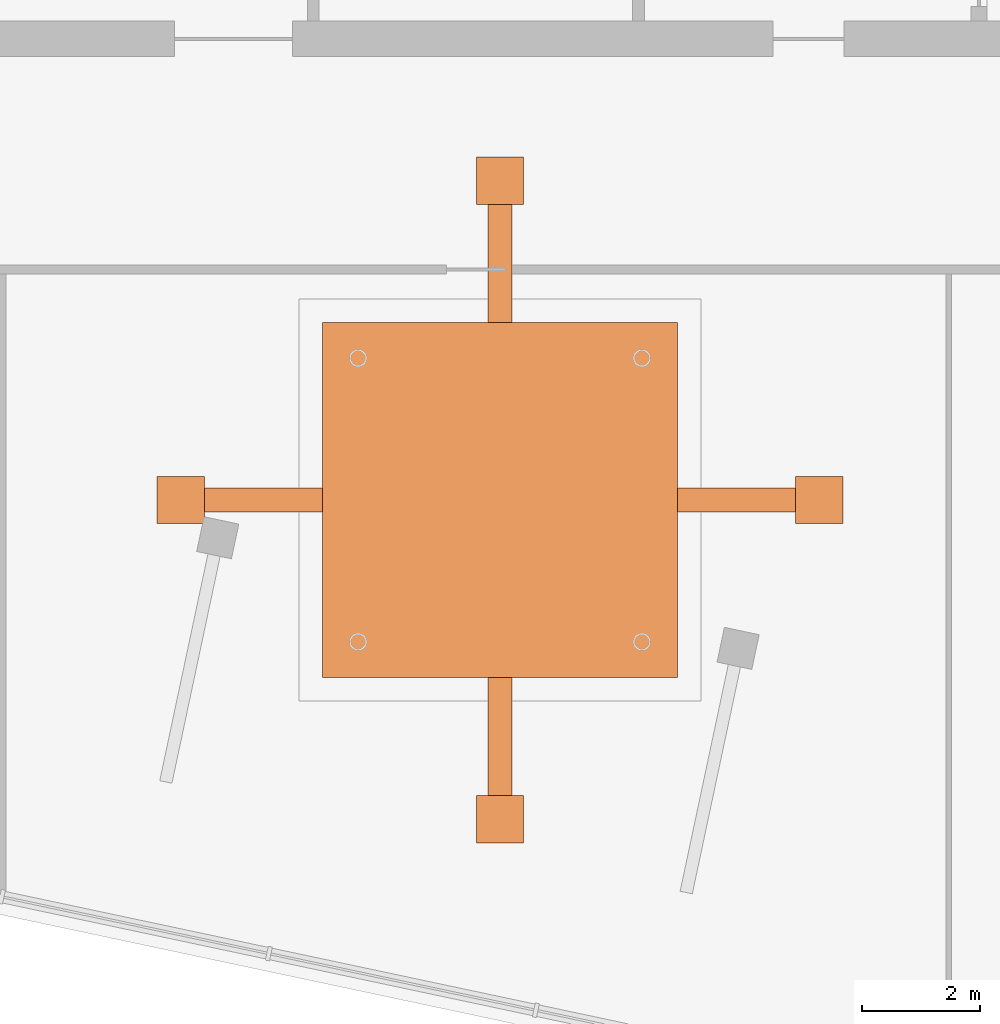
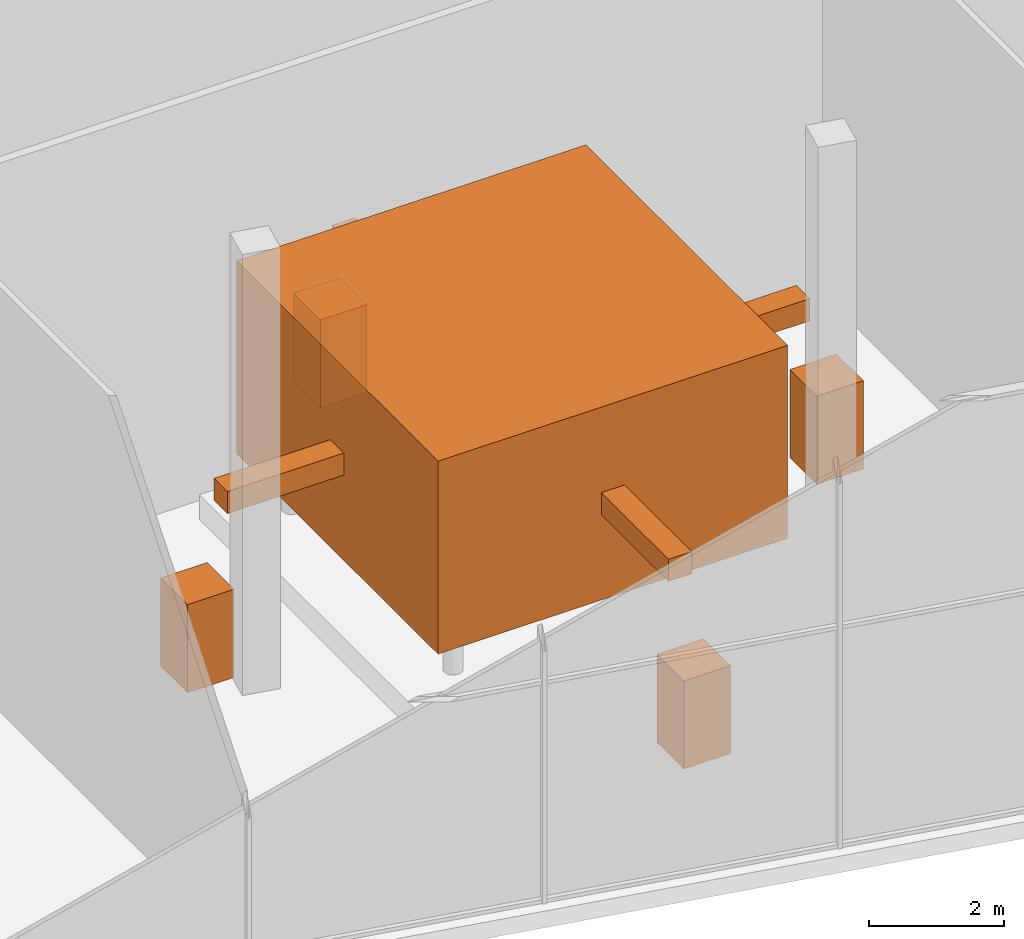
# One storey, part 14 of 14: 9 proxies.
"""IFC4 building model written with IfcOpenShell, lengths in metres."""

import ifcopenshell
import ifcopenshell.guid

model = None  # the IFC model being written
_history = None  # IfcOwnerHistory: only IFC2X3 demands one
_inside = {}  # id of a spatial element -> (the spatial element, [elements in it])
_under = {}  # id of a project, library or spatial element -> (it, [spatial elements below it])
_declared = {}  # id of a project -> (the project, [libraries it declares])
_typed = {}  # id of a type object -> (the type object, [elements of that type])
_made_of = {}  # id of a material, layer set ... -> (it, [elements and type objects made of it])


def new_model(schema):
    """Start an empty IFC model of exactly this schema.

    Asked for "IFC4X3", IfcOpenShell would pick the latest addendum, in which some entities
    have other attributes; the version numbers below select the first issue.
    IFC2X3 requires an IfcOwnerHistory on every rooted entity: one is made here for all.
    """
    global model, _history
    if schema == "IFC4X3":
        model = ifcopenshell.file(schema_version=(4, 3, 0, 0))
    else:
        model = ifcopenshell.file(schema=schema)
    _inside.clear()
    _under.clear()
    _declared.clear()
    _typed.clear()
    _made_of.clear()
    _history = None
    if model.schema == "IFC2X3":
        org = make("IfcOrganization", Name="unknown")
        user = make(
            "IfcPersonAndOrganization",
            ThePerson=make("IfcPerson", FamilyName="unknown"),
            TheOrganization=org,
        )
        app = make(
            "IfcApplication",
            ApplicationDeveloper=org,
            Version="unknown",
            ApplicationFullName="unknown",
            ApplicationIdentifier="unknown",
        )
        _history = make(
            "IfcOwnerHistory",
            OwningUser=user,
            OwningApplication=app,
            ChangeAction="ADDED",
            CreationDate=0,
        )
    return model


def make(cls, **values):
    """One entity of the class cls with the attributes given. An attribute that is None is left unset."""
    return model.create_entity(
        cls, **{name: value for name, value in values.items() if value is not None}
    )


def rooted(cls, **values):
    """An entity with a GlobalId (a new one), such as an element, a storey or a relation."""
    return make(cls, GlobalId=ifcopenshell.guid.new(), OwnerHistory=_history, **values)


def si_unit(unit_type, name, prefix=None):
    """IfcSIUnit, for example si_unit("LENGTHUNIT", "METRE", prefix="MILLI")."""
    return make("IfcSIUnit", UnitType=unit_type, Prefix=prefix, Name=name)


def assignment(units):
    """IfcUnitAssignment: the units of a project."""
    return None if units is None else make("IfcUnitAssignment", Units=units)


def point(xyz):
    """IfcCartesianPoint."""
    return None if xyz is None else make("IfcCartesianPoint", Coordinates=xyz)


def direction(xyz):
    """IfcDirection."""
    return None if xyz is None else make("IfcDirection", DirectionRatios=xyz)


def frame(location, z_axis=None, x_axis=None):
    """IfcAxis2Placement3D, a coordinate frame: its origin and axes. An axis left out is left unset."""
    return make(
        "IfcAxis2Placement3D",
        Location=point(location),
        Axis=direction(z_axis),
        RefDirection=direction(x_axis),
    )


def frame_2d(location, x_axis=None):
    """IfcAxis2Placement2D, a coordinate frame in the plane: its origin and x axis."""
    return make(
        "IfcAxis2Placement2D", Location=point(location), RefDirection=direction(x_axis)
    )


def origin():
    """The frame at (0, 0, 0) with its axes left unset."""
    return frame((0.0, 0.0, 0.0))


def origin_2d():
    """The frame at (0, 0) in the plane with its x axis left unset."""
    return frame_2d((0.0, 0.0))


def place(relative_to, where):
    """IfcLocalPlacement: puts the frame where relative to a parent placement (None: the world)."""
    return make(
        "IfcLocalPlacement", PlacementRelTo=relative_to, RelativePlacement=where
    )


def context(
    kind, dimensions, precision=None, world=None, true_north=None, identifier=None
):
    """IfcGeometricRepresentationContext, for example the 3D "Model" context."""
    return make(
        "IfcGeometricRepresentationContext",
        ContextIdentifier=identifier,
        ContextType=kind,
        CoordinateSpaceDimension=dimensions,
        Precision=precision,
        WorldCoordinateSystem=world,
        TrueNorth=true_north,
    )


def subcontext(parent, identifier, kind, view, scale=None):
    """IfcGeometricRepresentationSubContext, for example "Body" below "Model"."""
    return make(
        "IfcGeometricRepresentationSubContext",
        ContextIdentifier=identifier,
        ContextType=kind,
        ParentContext=parent,
        TargetScale=scale,
        TargetView=view,
    )


def project(units=None, contexts=None):
    """IfcProject with its units and contexts."""
    return rooted(
        "IfcProject",
        Name="project",
        RepresentationContexts=contexts,
        UnitsInContext=assignment(units),
    )


def spatial(cls, under=None, at=None, **own):
    """A site, building, storey or space (cls), placed at a placement, below another one or the project."""
    s = rooted(cls, ObjectPlacement=at, **own)
    if under is not None:
        _under.setdefault(under.id(), (under, []))[1].append(s)
    return s


def profile(cls, at=None, kind="AREA", **sizes):
    """A parametric profile (cls). Its sizes go by their IFC names, for example OverallWidth=200.0."""
    return make(cls, ProfileType=kind, Position=at, **sizes)


def rectangle(**sizes):
    """IfcRectangleProfileDef."""
    return profile("IfcRectangleProfileDef", **sizes)


def extrude(swept, where, along, depth):
    """IfcExtrudedAreaSolid: the profile swept, set in the frame where, extruded along a direction by depth."""
    return make(
        "IfcExtrudedAreaSolid",
        SweptArea=swept,
        Position=where,
        ExtrudedDirection=direction(along),
        Depth=depth,
    )


def shape(context_of_items, identifier, shape_type, items):
    """IfcShapeRepresentation: the items that make up one representation, for example the "Body"."""
    return make(
        "IfcShapeRepresentation",
        ContextOfItems=context_of_items,
        RepresentationIdentifier=identifier,
        RepresentationType=shape_type,
        Items=items,
    )


def made_of(thing, what):
    """Note that an element or type object is made of a material, layer set ...; save() writes the relation."""
    if what is not None:
        _made_of.setdefault(what.id(), (what, []))[1].append(thing)
    return thing


def element(
    cls,
    number,
    at=None,
    inside=None,
    cuts=None,
    type_object=None,
    material=None,
    context=None,
    identifier="Body",
    shape_type=None,
    held_by="IfcProductDefinitionShape",
    body=None,
    shapes=None,
    **own,
):
    """One element of the class cls, such as IfcWall. Its Tag is "e" and its number.

    at: its placement. inside: the storey or other place that contains it. cuts: it is an
    opening in that element (IfcRelVoidsElement). A single representation is given by context,
    identifier, shape_type and body (its items); several are given by shapes. held_by: the class
    of the entity that holds the representations. save() writes the other relations.
    """
    e = rooted(cls, Tag="e%d" % number, ObjectPlacement=at, **own)
    if body is not None:
        shapes = [shape(context, identifier, shape_type, body)]
    if shapes is not None:
        e.Representation = make(held_by, Representations=shapes)
    if inside is not None:
        _inside.setdefault(inside.id(), (inside, []))[1].append(e)
    if cuts is not None:
        rooted(
            "IfcRelVoidsElement", RelatingBuildingElement=cuts, RelatedOpeningElement=e
        )
    if type_object is not None:
        _typed.setdefault(type_object.id(), (type_object, []))[1].append(e)
    return made_of(e, material)


def aggregate(whole, parts):
    """IfcRelAggregates: a whole, such as a stair, and the parts it consists of."""
    return rooted("IfcRelAggregates", RelatingObject=whole, RelatedObjects=parts)


def save(model, path):
    """Write the relations noted so far, then the file.

    IfcRelAggregates (storeys below a building ...), IfcRelContainedInSpatialStructure (elements
    in a storey), IfcRelDefinesByType, IfcRelAssociatesMaterial and IfcRelDeclares: one each for
    every whole, place, type object, material and project.
    """
    for whole, parts in _under.values():
        aggregate(whole, parts)
    for where, things in _inside.values():
        rooted(
            "IfcRelContainedInSpatialStructure",
            RelatedElements=things,
            RelatingStructure=where,
        )
    for kind, things in _typed.values():
        rooted("IfcRelDefinesByType", RelatedObjects=things, RelatingType=kind)
    for what, things in _made_of.values():
        rooted("IfcRelAssociatesMaterial", RelatedObjects=things, RelatingMaterial=what)
    for by, libraries in _declared.values():
        rooted("IfcRelDeclares", RelatingContext=by, RelatedDefinitions=libraries)
    model.write(path)


model = new_model("IFC4")

# Units and contexts
model_context = context("Model", 3, precision=1e-05, world=origin(), true_north=direction((0.0, 1.0)))
body_context = subcontext(model_context, "Body", "Model", "MODEL_VIEW")
ifc_project = project(units=[si_unit("LENGTHUNIT", "METRE"), si_unit("AREAUNIT", "SQUARE_METRE"), si_unit("VOLUMEUNIT", "CUBIC_METRE"), si_unit("PLANEANGLEUNIT", "RADIAN"), si_unit("MASSUNIT", "GRAM", prefix="KILO")], contexts=[model_context])

# Site, building, storey
site_placement = place(None, origin())
site = spatial("IfcSite", under=ifc_project, at=site_placement, CompositionType="ELEMENT")
building_placement = place(site_placement, origin())
building = spatial("IfcBuilding", under=site, at=building_placement, Name="Dilmun Exchange Tower", CompositionType="ELEMENT")
storey_placement = place(building_placement, frame((0.0, 0.0, 350.10009765625)))
storey = spatial("IfcBuildingStorey", under=building, at=storey_placement, Name="Crown L83", CompositionType="ELEMENT", Elevation=350.10009765625)

# Proxies
proxy_1_placement = place(storey_placement, frame((0.408935546875, -19.902099609375, 1.2998046875), z_axis=(0.0, 0.0, 1.0), x_axis=(1.0, 0.0, 0.0)))
element("IfcBuildingElementProxy", 1, at=proxy_1_placement, inside=storey, Name="TMD MASS", ObjectType="TMD MASS", PredefinedType="USERDEFINED", context=body_context, shape_type="SweptSolid", body=[
    extrude(rectangle(XDim=6.0, YDim=6.0, at=origin_2d()), origin(), (0.0, 0.0, 1.0), 3.5),
])
proxy_2_placement = place(storey_placement, frame((-4.990966796875, -19.902099609375, -0.000244140625), z_axis=(0.0, 0.0, 1.0), x_axis=(1.0, 0.0, 0.0)))
element("IfcBuildingElementProxy", 2, at=proxy_2_placement, inside=storey, Name="TMD anchor block 1", ObjectType="TMD ANCHOR", PredefinedType="USERDEFINED", context=body_context, shape_type="SweptSolid", body=[
    extrude(rectangle(XDim=0.800048828125, YDim=0.800048828125, at=origin_2d()), origin(), (0.0, 0.0, 1.0), 1.60009765625),
])
proxy_3_placement = place(storey_placement, frame((-3.591064453125, -19.902099609375, 2.849853515625), z_axis=(0.0, 0.0, 1.0), x_axis=(1.0, 0.0, 0.0)))
element("IfcBuildingElementProxy", 3, at=proxy_3_placement, inside=storey, Name="TMD viscous damper 1", ObjectType="TMD DAMPER", PredefinedType="USERDEFINED", context=body_context, shape_type="SweptSolid", body=[
    extrude(rectangle(XDim=2.0, YDim=0.39990234375, at=origin_2d()), origin(), (0.0, 0.0, 1.0), 0.39990234375),
])
proxy_4_placement = place(storey_placement, frame((5.80908203125, -19.902099609375, -0.000244140625), z_axis=(0.0, 0.0, 1.0), x_axis=(1.0, 0.0, 0.0)))
element("IfcBuildingElementProxy", 4, at=proxy_4_placement, inside=storey, Name="TMD anchor block 2", ObjectType="TMD ANCHOR", PredefinedType="USERDEFINED", context=body_context, shape_type="SweptSolid", body=[
    extrude(rectangle(XDim=0.800048828125, YDim=0.800048828125, at=origin_2d()), origin(), (0.0, 0.0, 1.0), 1.60009765625),
])
proxy_5_placement = place(storey_placement, frame((4.408935546875, -19.902099609375, 2.849853515625), z_axis=(0.0, 0.0, 1.0), x_axis=(1.0, 0.0, 0.0)))
element("IfcBuildingElementProxy", 5, at=proxy_5_placement, inside=storey, Name="TMD viscous damper 2", ObjectType="TMD DAMPER", PredefinedType="USERDEFINED", context=body_context, shape_type="SweptSolid", body=[
    extrude(rectangle(XDim=2.0, YDim=0.39990234375, at=origin_2d()), origin(), (0.0, 0.0, 1.0), 0.39990234375),
])
proxy_6_placement = place(storey_placement, frame((0.408935546875, -25.302001953125, -0.000244140625), z_axis=(0.0, 0.0, 1.0), x_axis=(1.0, 0.0, 0.0)))
element("IfcBuildingElementProxy", 6, at=proxy_6_placement, inside=storey, Name="TMD anchor block 3", ObjectType="TMD ANCHOR", PredefinedType="USERDEFINED", context=body_context, shape_type="SweptSolid", body=[
    extrude(rectangle(XDim=0.800048828125, YDim=0.800048828125, at=origin_2d()), origin(), (0.0, 0.0, 1.0), 1.60009765625),
])
proxy_7_placement = place(storey_placement, frame((0.408935546875, -23.902099609375, 2.849853515625), z_axis=(0.0, 0.0, 1.0), x_axis=(1.0, 0.0, 0.0)))
element("IfcBuildingElementProxy", 7, at=proxy_7_placement, inside=storey, Name="TMD viscous damper 3", ObjectType="TMD DAMPER", PredefinedType="USERDEFINED", context=body_context, shape_type="SweptSolid", body=[
    extrude(rectangle(XDim=0.39990234375, YDim=2.0, at=origin_2d()), origin(), (0.0, 0.0, 1.0), 0.39990234375),
])
proxy_8_placement = place(storey_placement, frame((0.408935546875, -14.501953125, -0.000244140625), z_axis=(0.0, 0.0, 1.0), x_axis=(1.0, 0.0, 0.0)))
element("IfcBuildingElementProxy", 8, at=proxy_8_placement, inside=storey, Name="TMD anchor block 4", ObjectType="TMD ANCHOR", PredefinedType="USERDEFINED", context=body_context, shape_type="SweptSolid", body=[
    extrude(rectangle(XDim=0.800048828125, YDim=0.800048828125, at=origin_2d()), origin(), (0.0, 0.0, 1.0), 1.60009765625),
])
proxy_9_placement = place(storey_placement, frame((0.408935546875, -15.902099609375, 2.849853515625), z_axis=(0.0, 0.0, 1.0), x_axis=(1.0, 0.0, 0.0)))
element("IfcBuildingElementProxy", 9, at=proxy_9_placement, inside=storey, Name="TMD viscous damper 4", ObjectType="TMD DAMPER", PredefinedType="USERDEFINED", context=body_context, shape_type="SweptSolid", body=[
    extrude(rectangle(XDim=0.39990234375, YDim=2.0, at=origin_2d()), origin(), (0.0, 0.0, 1.0), 0.39990234375),
])

save(model, "model.ifc")
